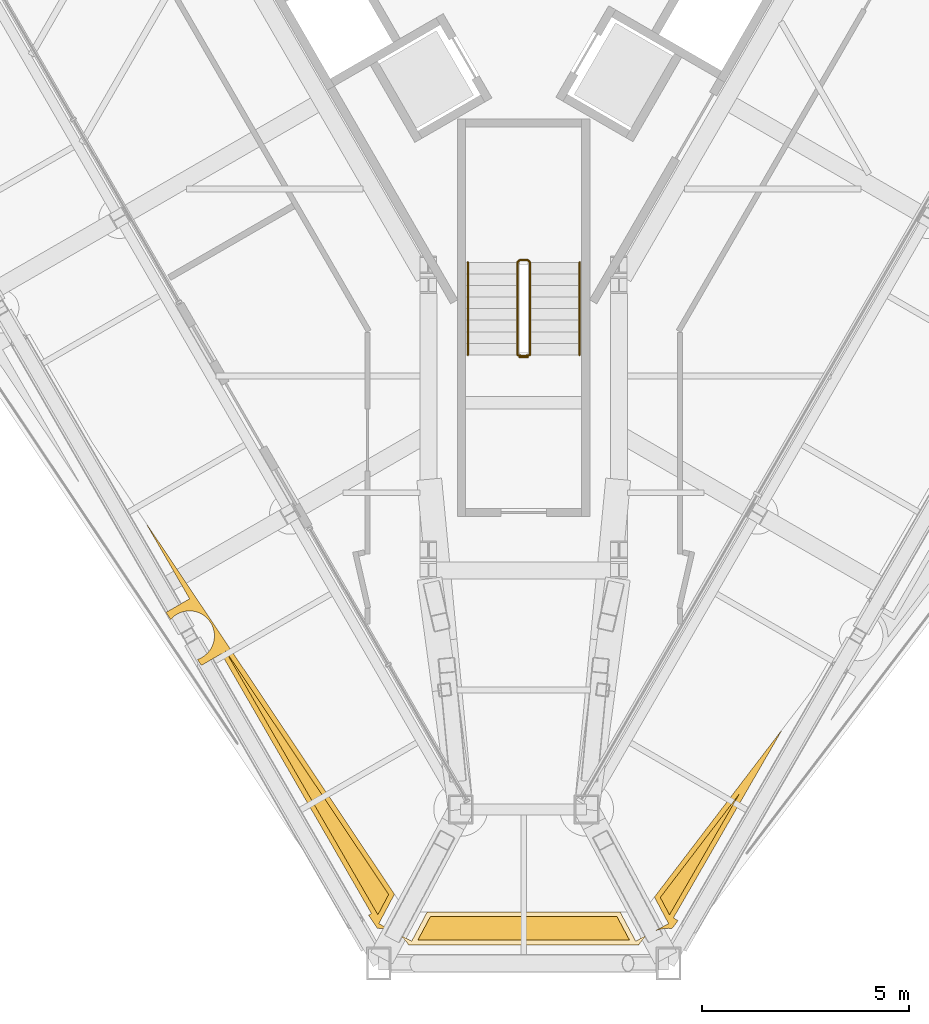
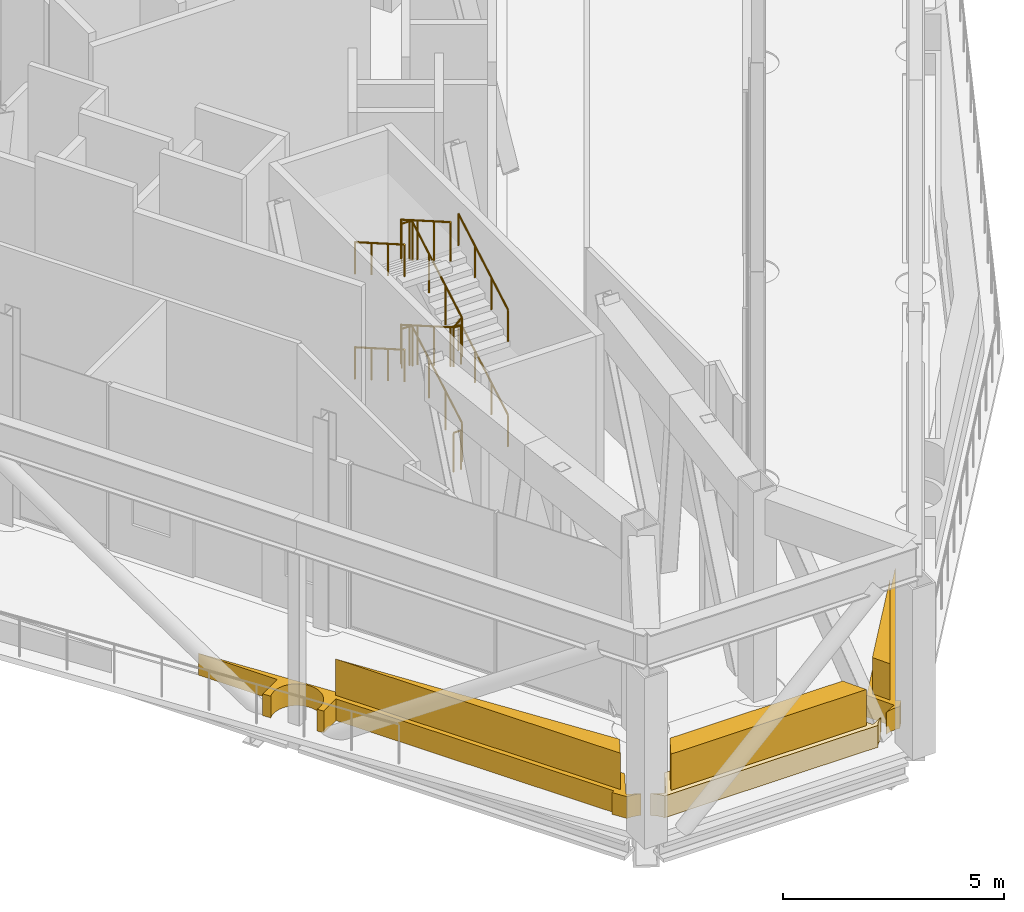
# One storey, part 19 of 25: 6 coverings, 6 railings.
"""IFC4 building model written with IfcOpenShell, lengths in metres."""

from ifc_helpers import new_model, si_unit, direction, frame, origin, origin_2d, place, context, subcontext, project, spatial, polyline, circle, outline, extrude, material, type_object, element, save


model = new_model("IFC4")

# Units and contexts
model_context = context("Model", 3, precision=1e-05, world=origin(), true_north=direction((0.0, 1.0)))
body_context = subcontext(model_context, "Body", "Model", "MODEL_VIEW")
ifc_project = project(units=[si_unit("LENGTHUNIT", "METRE"), si_unit("AREAUNIT", "SQUARE_METRE"), si_unit("VOLUMEUNIT", "CUBIC_METRE"), si_unit("PLANEANGLEUNIT", "RADIAN"), si_unit("MASSUNIT", "GRAM", prefix="KILO")], contexts=[model_context])

# Site, building, storey
site_placement = place(None, origin())
site = spatial("IfcSite", under=ifc_project, at=site_placement, CompositionType="ELEMENT")
building_placement = place(site_placement, origin())
building = spatial("IfcBuilding", under=site, at=building_placement, Name="Verrane Prism Tower", CompositionType="ELEMENT")
storey_placement = place(building_placement, frame((0.0, 0.0, 258.199951171875)))
storey = spatial("IfcBuildingStorey", under=building, at=storey_placement, Name="L65", CompositionType="ELEMENT", Elevation=258.199951171875)

# Coverings
ifc_material_1 = material(Name="Planting medium in stone kerb", Category="masonry")
covering_type_1 = type_object("IfcCoveringType", Name="Planter bed 600", PredefinedType="USERDEFINED", material=ifc_material_1)
covering_1_placement = place(storey_placement, origin())
element("IfcCovering", 1, at=covering_1_placement, inside=storey, type_object=covering_type_1, Name="Planter bed L65 6", ObjectType="PLANTER", PredefinedType="USERDEFINED", context=body_context, shape_type="SweptSolid", body=[
    extrude(outline(polyline([(3.25341796875, -27.57666015625), (3.334228515625, -27.556396484375), (3.416748046875, -27.544189453125), (3.5, -27.5400390625), (3.584228515625, -27.544189453125), (3.7275390625, -27.3564453125), (3.614990234375, -27.29150390625), (6.22314453125, -22.77734375), (6.21728515625, -22.7734375), (3.15625, -26.786376953125), (3.49853515625, -27.4296875), (3.198486328125, -27.589599609375), (3.200927734375, -27.59521484375), (3.25341796875, -27.57666015625)])), origin(), (0.0, 0.0, 1.0), 0.60009765625),
])
covering_2_placement = place(storey_placement, origin())
element("IfcCovering", 2, at=covering_2_placement, inside=storey, type_object=covering_type_1, Name="Planter bed L65 7", ObjectType="PLANTER", PredefinedType="USERDEFINED", context=body_context, shape_type="SweptSolid", body=[
    extrude(outline(polyline([(-2.960693359375, -27.73291015625), (-2.89892578125, -27.7890625), (-2.843017578125, -27.850830078125), (-2.793212890625, -27.917724609375), (-2.7783203125, -27.942626953125), (-2.60400390625, -27.942626953125), (-2.60400390625, -27.93994140625), (2.518798828125, -27.93994140625), (2.518798828125, -27.942626953125), (2.7783203125, -27.942626953125), (2.793212890625, -27.917724609375), (2.843017578125, -27.850830078125), (2.89892578125, -27.7890625), (2.960693359375, -27.73291015625), (3.0078125, -27.697998046875), (3.004638671875, -27.692626953125), (2.7041015625, -27.8525390625), (2.326416015625, -27.142578125), (-2.326416015625, -27.142578125), (-2.7041015625, -27.8525390625), (-3.004638671875, -27.692626953125), (-3.0078125, -27.697998046875), (-2.960693359375, -27.73291015625)])), origin(), (0.0, 0.0, 1.0), 0.60009765625),
])
covering_3_placement = place(storey_placement, origin())
element("IfcCovering", 3, at=covering_3_placement, inside=storey, type_object=covering_type_1, Name="Planter bed L65 8", ObjectType="PLANTER", PredefinedType="USERDEFINED", context=body_context, shape_type="SweptSolid", body=[
    extrude(outline(polyline([(-3.53125, -27.54150390625), (-3.5, -27.5400390625), (-3.416748046875, -27.544189453125), (-3.334228515625, -27.556396484375), (-3.25341796875, -27.57666015625), (-3.200927734375, -27.59521484375), (-3.198486328125, -27.589599609375), (-3.49853515625, -27.4296875), (-3.119873046875, -26.718017578125), (-9.09033203125, -17.797607421875), (-9.097412109375, -17.802001953125), (-8.067138671875, -19.585693359375), (-8.63623046875, -19.914306640625), (-8.52294921875, -20.083740234375), (-8.49609375, -20.053955078125), (-8.4521484375, -20.014404296875), (-8.40478515625, -19.97900390625), (-8.35400390625, -19.94873046875), (-8.300537109375, -19.923583984375), (-8.244873046875, -19.903564453125), (-8.1875, -19.88916015625), (-8.12890625, -19.880615234375), (-8.070068359375, -19.877685546875), (-8.010986328125, -19.880615234375), (-7.952392578125, -19.88916015625), (-7.89501953125, -19.903564453125), (-7.839599609375, -19.923583984375), (-7.785888671875, -19.94873046875), (-7.7353515625, -19.97900390625), (-7.687744140625, -20.014404296875), (-7.64404296875, -20.053955078125), (-7.604248046875, -20.097900390625), (-7.569091796875, -20.145263671875), (-7.538818359375, -20.196044921875), (-7.513427734375, -20.24951171875), (-7.493408203125, -20.30517578125), (-7.479248046875, -20.362548828125), (-7.470458984375, -20.4208984375), (-7.467529296875, -20.47998046875), (-7.470458984375, -20.5390625), (-7.479248046875, -20.597412109375), (-7.493408203125, -20.65478515625), (-7.513427734375, -20.71044921875), (-7.538818359375, -20.763916015625), (-7.569091796875, -20.814697265625), (-7.604248046875, -20.8623046875), (-7.64404296875, -20.906005859375), (-7.687744140625, -20.94580078125), (-7.7353515625, -20.98095703125), (-7.785888671875, -21.01123046875), (-7.839599609375, -21.03662109375), (-7.876220703125, -21.0498046875), (-7.781005859375, -21.192138671875), (-7.299560546875, -20.9140625), (-3.675537109375, -27.186767578125), (-3.74267578125, -27.2255859375), (-3.53125, -27.54150390625)])), origin(), (0.0, 0.0, 1.0), 0.60009765625),
])
ifc_material_2 = material(Name="Planted shrubs and grasses", Category="other")
covering_type_2 = type_object("IfcCoveringType", Name="Planting mass 1000", PredefinedType="USERDEFINED", material=ifc_material_2)
covering_4_placement = place(storey_placement, frame((0.0, 0.0, 0.60009765625)))
element("IfcCovering", 4, at=covering_4_placement, inside=storey, type_object=covering_type_2, Name="Planting L65 6", ObjectType="PLANTING", PredefinedType="USERDEFINED", context=body_context, shape_type="SweptSolid", body=[
    extrude(outline(polyline([(5.20751953125, -24.294921875), (3.29833984375, -26.7978515625), (3.5205078125, -27.21533203125), (5.20751953125, -24.294921875)])), origin(), (0.0, 0.0, 1.0), 1.0),
])
covering_5_placement = place(storey_placement, frame((0.0, 0.0, 0.60009765625)))
element("IfcCovering", 5, at=covering_5_placement, inside=storey, type_object=covering_type_2, Name="Planting L65 7", ObjectType="PLANTING", PredefinedType="USERDEFINED", context=body_context, shape_type="SweptSolid", body=[
    extrude(outline(polyline([(2.55078125, -27.820068359375), (2.254150390625, -27.2626953125), (-2.254150390625, -27.2626953125), (-2.55078125, -27.820068359375), (2.55078125, -27.820068359375)])), origin(), (0.0, 0.0, 1.0), 1.0),
])
covering_6_placement = place(storey_placement, frame((0.0, 0.0, 0.60009765625)))
element("IfcCovering", 6, at=covering_6_placement, inside=storey, type_object=covering_type_2, Name="Planting L65 8", ObjectType="PLANTING", PredefinedType="USERDEFINED", context=body_context, shape_type="SweptSolid", body=[
    extrude(outline(polyline([(-3.5205078125, -27.215087890625), (-3.259521484375, -26.724853515625), (-7.23681640625, -20.78271484375), (-3.5205078125, -27.215087890625)])), origin(), (0.0, 0.0, 1.0), 1.0),
])

# Railings
ifc_material_3 = material(Name="Steel A36 rail and posts, no infill", Category="steel")
railing_type_1 = type_object("IfcRailingType", Name="Stair guard 1100 steel rail and posts", PredefinedType="GUARDRAIL", material=ifc_material_3)
railing_1_placement = place(storey_placement, frame((0.14990234375, -13.699951171875, 0.1611328125)))
element("IfcRailing", 7, at=railing_1_placement, inside=storey, type_object=railing_type_1, Name="Stair 3 guard", PredefinedType="GUARDRAIL", context=body_context, shape_type="SweptSolid", body=[
    extrude(circle(Radius=0.02392578125, at=origin_2d()), frame((0.0, 0.0, 1.076171875), z_axis=(0.0, 0.866768490956, 0.498710720845), x_axis=(-1.0, 0.0, 0.0)), (0.0, 0.0, 1.0), 2.584228515625),
    extrude(circle(Radius=0.02392578125, at=origin_2d()), frame((0.0, 2.239990234375, 2.36474609375), z_axis=(-0.705375805398, 0.708833529934, 0.0), x_axis=(-0.708833529934, -0.705375805398, 0.0)), (0.0, 0.0, 1.0), 0.070556640625),
    extrude(circle(Radius=0.02392578125, at=origin_2d()), frame((-0.0498046875, 2.2900390625, 2.36474609375), z_axis=(-1.0, 0.0, 0.0), x_axis=(0.0, -1.0, 0.0)), (0.0, 0.0, 1.0), 0.2001953125),
    extrude(circle(Radius=0.02392578125, at=origin_2d()), frame((-0.25, 2.2900390625, 2.36474609375), z_axis=(-0.283103786845, -0.284491550506, 0.915924016262), x_axis=(0.708833529934, -0.705375805398, 0.0)), (0.0, 0.0, 1.0), 0.176025390625),
    extrude(circle(Radius=0.02392578125, at=origin_2d()), frame((-0.2998046875, 2.239990234375, 2.52587890625), z_axis=(0.0, -0.866727653441, 0.498781690482), x_axis=(1.0, 0.0, 0.0)), (0.0, 0.0, 1.0), 2.58447265625),
    extrude(circle(Radius=0.02392578125, at=origin_2d()), frame((-0.2998046875, 0.0, 3.81494140625), z_axis=(0.98054382908, -0.196300278283, 0.0), x_axis=(0.196300278283, 0.98054382908, 0.0)), (0.0, 0.0, 1.0), 0.2548828125),
    extrude(circle(Radius=0.02392578125, at=origin_2d()), frame((-0.0498046875, -0.050048828125, 3.81494140625), z_axis=(-1.0, 0.0, 0.0), x_axis=(0.0, -1.0, 0.0)), (0.0, 0.0, 1.0), 0.2001953125),
    extrude(circle(Radius=0.02392578125, at=origin_2d()), frame((-0.25, -0.050048828125, 3.81494140625), z_axis=(0.828884636029, 0.165938818736, 0.534242050565), x_axis=(-0.196300278283, 0.98054382908, 0.0)), (0.0, 0.0, 1.0), 0.301513671875),
    extrude(circle(Radius=0.02392578125, at=origin_2d()), frame((0.0, 0.0, 3.97607421875), z_axis=(0.0, 0.866768490956, 0.498710720845), x_axis=(-1.0, 0.0, 0.0)), (0.0, 0.0, 1.0), 2.584228515625),
    extrude(circle(Radius=0.02392578125, at=origin_2d()), frame((0.0, 2.239990234375, 5.26513671875), z_axis=(-0.705375805398, 0.708833529934, 0.0), x_axis=(-0.708833529934, -0.705375805398, 0.0)), (0.0, 0.0, 1.0), 0.070556640625),
    extrude(circle(Radius=0.02392578125, at=origin_2d()), frame((-0.0498046875, 2.2900390625, 5.26513671875), z_axis=(-1.0, 0.0, 0.0), x_axis=(0.0, -1.0, 0.0)), (0.0, 0.0, 1.0), 0.2001953125),
    extrude(circle(Radius=0.02392578125, at=origin_2d()), frame((-0.25, 2.2900390625, 5.26513671875), z_axis=(-0.283103786845, -0.284491550506, 0.915924016262), x_axis=(0.708833529934, -0.705375805398, 0.0)), (0.0, 0.0, 1.0), 0.176025390625),
    extrude(circle(Radius=0.02392578125, at=origin_2d()), frame((-0.2998046875, 2.239990234375, 5.42626953125), z_axis=(0.0, -0.866768490956, 0.498710720845), x_axis=(1.0, 0.0, 0.0)), (0.0, 0.0, 1.0), 2.584228515625),
    extrude(circle(Radius=0.02099609375, at=origin_2d()), origin(), (0.0, 0.0, 1.0), 1.052001953125),
    extrude(circle(Radius=0.02099609375, at=origin_2d()), frame((0.0, 0.74658203125, 0.4296875)), (0.0, 0.0, 1.0), 1.052001953125),
    extrude(circle(Radius=0.02099609375, at=origin_2d()), frame((0.0, 1.493408203125, 0.859130859375)), (0.0, 0.0, 1.0), 1.052001953125),
    extrude(circle(Radius=0.02099609375, at=origin_2d()), frame((0.0, 2.239990234375, 1.288818359375)), (0.0, 0.0, 1.0), 1.052001953125),
    extrude(circle(Radius=0.02099609375, at=origin_2d()), frame((-0.0498046875, 2.2900390625, 1.288818359375)), (0.0, 0.0, 1.0), 1.052001953125),
    extrude(circle(Radius=0.02099609375, at=origin_2d()), frame((-0.25, 2.2900390625, 1.288818359375)), (0.0, 0.0, 1.0), 1.052001953125),
    extrude(circle(Radius=0.02099609375, at=origin_2d()), frame((-0.2998046875, 2.239990234375, 1.449951171875)), (0.0, 0.0, 1.0), 1.052001953125),
    extrude(circle(Radius=0.02099609375, at=origin_2d()), frame((-0.2998046875, 1.493408203125, 1.879638671875)), (0.0, 0.0, 1.0), 1.052001953125),
    extrude(circle(Radius=0.02099609375, at=origin_2d()), frame((-0.2998046875, 0.74658203125, 2.309326171875)), (0.0, 0.0, 1.0), 1.052001953125),
    extrude(circle(Radius=0.02099609375, at=origin_2d()), frame((-0.2998046875, 0.0, 2.739013671875)), (0.0, 0.0, 1.0), 1.052001953125),
    extrude(circle(Radius=0.02099609375, at=origin_2d()), frame((-0.0498046875, -0.050048828125, 2.739013671875)), (0.0, 0.0, 1.0), 1.052001953125),
    extrude(circle(Radius=0.02099609375, at=origin_2d()), frame((-0.25, -0.050048828125, 2.739013671875)), (0.0, 0.0, 1.0), 1.052001953125),
    extrude(circle(Radius=0.02099609375, at=origin_2d()), frame((0.0, 0.0, 2.900146484375)), (0.0, 0.0, 1.0), 1.052001953125),
    extrude(circle(Radius=0.02099609375, at=origin_2d()), frame((0.0, 0.74658203125, 3.329833984375)), (0.0, 0.0, 1.0), 1.052001953125),
    extrude(circle(Radius=0.02099609375, at=origin_2d()), frame((0.0, 1.493408203125, 3.75927734375)), (0.0, 0.0, 1.0), 1.052001953125),
    extrude(circle(Radius=0.02099609375, at=origin_2d()), frame((0.0, 2.239990234375, 4.18896484375)), (0.0, 0.0, 1.0), 1.052001953125),
    extrude(circle(Radius=0.02099609375, at=origin_2d()), frame((-0.0498046875, 2.2900390625, 4.18896484375)), (0.0, 0.0, 1.0), 1.052001953125),
    extrude(circle(Radius=0.02099609375, at=origin_2d()), frame((-0.25, 2.2900390625, 4.18896484375)), (0.0, 0.0, 1.0), 1.052001953125),
    extrude(circle(Radius=0.02099609375, at=origin_2d()), frame((-0.2998046875, 2.239990234375, 4.35009765625)), (0.0, 0.0, 1.0), 1.052001953125),
    extrude(circle(Radius=0.02099609375, at=origin_2d()), frame((-0.2998046875, 1.493408203125, 4.77978515625)), (0.0, 0.0, 1.0), 1.052001953125),
    extrude(circle(Radius=0.02099609375, at=origin_2d()), frame((-0.2998046875, 0.74658203125, 5.209228515625)), (0.0, 0.0, 1.0), 1.052001953125),
    extrude(circle(Radius=0.02099609375, at=origin_2d()), frame((-0.2998046875, 0.0, 5.638916015625)), (0.0, 0.0, 1.0), 1.052001953125),
])
railing_2_placement = place(storey_placement, frame((0.10009765625, -13.75, 0.0)))
element("IfcRailing", 8, at=railing_2_placement, inside=storey, type_object=railing_type_1, Name="Stair 3 guard", PredefinedType="GUARDRAIL", context=body_context, shape_type="SweptSolid", body=[
    extrude(circle(Radius=0.02392578125, at=origin_2d()), frame((0.0, 0.0, 1.076171875), z_axis=(-1.0, 0.0, 0.0), x_axis=(0.0, -1.0, 0.0)), (0.0, 0.0, 1.0), 0.2001953125),
    extrude(circle(Radius=0.02099609375, at=origin_2d()), origin(), (0.0, 0.0, 1.0), 1.052001953125),
    extrude(circle(Radius=0.02099609375, at=origin_2d()), frame((-0.2001953125, 0.0, 0.0)), (0.0, 0.0, 1.0), 1.052001953125),
])
ifc_material_4 = material(Name="Steel A36 tube", Category="steel")
railing_type_2 = type_object("IfcRailingType", Name="Stair handrail 900 steel tube", PredefinedType="HANDRAIL", material=ifc_material_4)
railing_3_placement = place(storey_placement, frame((1.35009765625, -13.699951171875, 0.1611328125)))
element("IfcRailing", 9, at=railing_3_placement, inside=storey, type_object=railing_type_2, Name="Stair 3 handrail", PredefinedType="HANDRAIL", context=body_context, shape_type="SweptSolid", body=[
    extrude(circle(Radius=0.02392578125, at=origin_2d()), frame((0.0, 0.0, 0.8759765625), z_axis=(0.0, 0.866768490956, 0.498710720845), x_axis=(-1.0, 0.0, 0.0)), (0.0, 0.0, 1.0), 2.584228515625),
    extrude(circle(Radius=0.02099609375, at=origin_2d()), origin(), (0.0, 0.0, 1.0), 0.851806640625),
    extrude(circle(Radius=0.02099609375, at=origin_2d()), frame((0.0, 0.74658203125, 0.4296875)), (0.0, 0.0, 1.0), 0.851806640625),
    extrude(circle(Radius=0.02099609375, at=origin_2d()), frame((0.0, 1.493408203125, 0.859130859375)), (0.0, 0.0, 1.0), 0.851806640625),
    extrude(circle(Radius=0.02099609375, at=origin_2d()), frame((0.0, 2.239990234375, 1.288818359375)), (0.0, 0.0, 1.0), 0.851806640625),
])
railing_4_placement = place(storey_placement, frame((-1.35009765625, -11.4599609375, 1.611083984375)))
element("IfcRailing", 10, at=railing_4_placement, inside=storey, type_object=railing_type_2, Name="Stair 3 handrail", PredefinedType="HANDRAIL", context=body_context, shape_type="SweptSolid", body=[
    extrude(circle(Radius=0.02392578125, at=origin_2d()), frame((0.0, 0.0, 0.8759765625), z_axis=(0.0, -0.866727653441, 0.498781690482), x_axis=(1.0, 0.0, 0.0)), (0.0, 0.0, 1.0), 2.58447265625),
    extrude(circle(Radius=0.02099609375, at=origin_2d()), origin(), (0.0, 0.0, 1.0), 0.851806640625),
    extrude(circle(Radius=0.02099609375, at=origin_2d()), frame((0.0, -0.74658203125, 0.4296875)), (0.0, 0.0, 1.0), 0.851806640625),
    extrude(circle(Radius=0.02099609375, at=origin_2d()), frame((0.0, -1.493408203125, 0.859375)), (0.0, 0.0, 1.0), 0.851806640625),
    extrude(circle(Radius=0.02099609375, at=origin_2d()), frame((0.0, -2.239990234375, 1.2890625)), (0.0, 0.0, 1.0), 0.851806640625),
])
railing_5_placement = place(storey_placement, frame((1.35009765625, -13.699951171875, 3.061279296875)))
element("IfcRailing", 11, at=railing_5_placement, inside=storey, type_object=railing_type_2, Name="Stair 3 handrail", PredefinedType="HANDRAIL", context=body_context, shape_type="SweptSolid", body=[
    extrude(circle(Radius=0.02392578125, at=origin_2d()), frame((0.0, 0.0, 0.8759765625), z_axis=(0.0, 0.866768490956, 0.498710720845), x_axis=(-1.0, 0.0, 0.0)), (0.0, 0.0, 1.0), 2.584228515625),
    extrude(circle(Radius=0.02099609375, at=origin_2d()), origin(), (0.0, 0.0, 1.0), 0.851806640625),
    extrude(circle(Radius=0.02099609375, at=origin_2d()), frame((0.0, 0.74658203125, 0.4296875)), (0.0, 0.0, 1.0), 0.851806640625),
    extrude(circle(Radius=0.02099609375, at=origin_2d()), frame((0.0, 1.493408203125, 0.859130859375)), (0.0, 0.0, 1.0), 0.851806640625),
    extrude(circle(Radius=0.02099609375, at=origin_2d()), frame((0.0, 2.239990234375, 1.288818359375)), (0.0, 0.0, 1.0), 0.851806640625),
])
railing_6_placement = place(storey_placement, frame((-1.35009765625, -11.4599609375, 4.51123046875)))
element("IfcRailing", 12, at=railing_6_placement, inside=storey, type_object=railing_type_2, Name="Stair 3 handrail", PredefinedType="HANDRAIL", context=body_context, shape_type="SweptSolid", body=[
    extrude(circle(Radius=0.02392578125, at=origin_2d()), frame((0.0, 0.0, 0.8759765625), z_axis=(0.0, -0.866768490956, 0.498710720845), x_axis=(1.0, 0.0, 0.0)), (0.0, 0.0, 1.0), 2.584228515625),
    extrude(circle(Radius=0.02099609375, at=origin_2d()), origin(), (0.0, 0.0, 1.0), 0.851806640625),
    extrude(circle(Radius=0.02099609375, at=origin_2d()), frame((0.0, -0.74658203125, 0.4296875)), (0.0, 0.0, 1.0), 0.851806640625),
    extrude(circle(Radius=0.02099609375, at=origin_2d()), frame((0.0, -1.493408203125, 0.859130859375)), (0.0, 0.0, 1.0), 0.851806640625),
    extrude(circle(Radius=0.02099609375, at=origin_2d()), frame((0.0, -2.239990234375, 1.288818359375)), (0.0, 0.0, 1.0), 0.851806640625),
])

save(model, "model.ifc")
